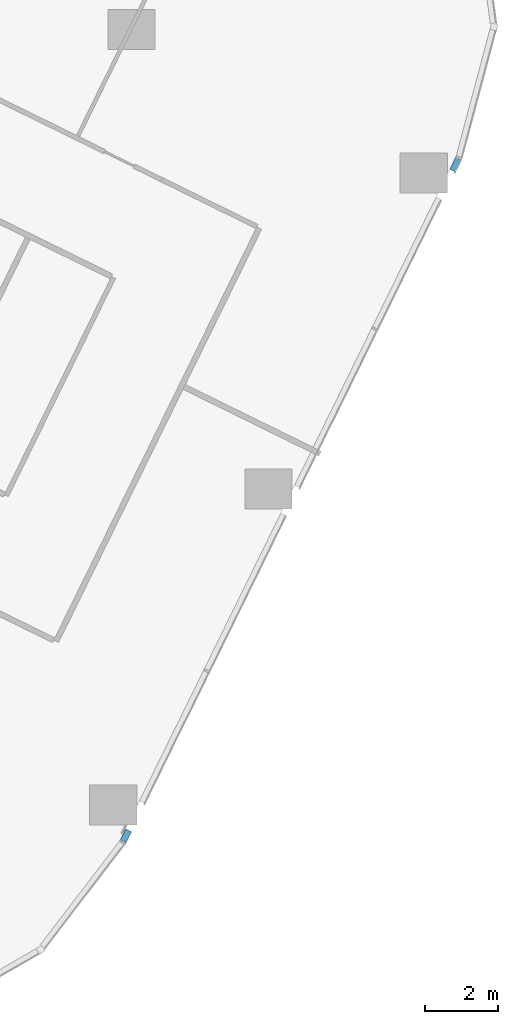
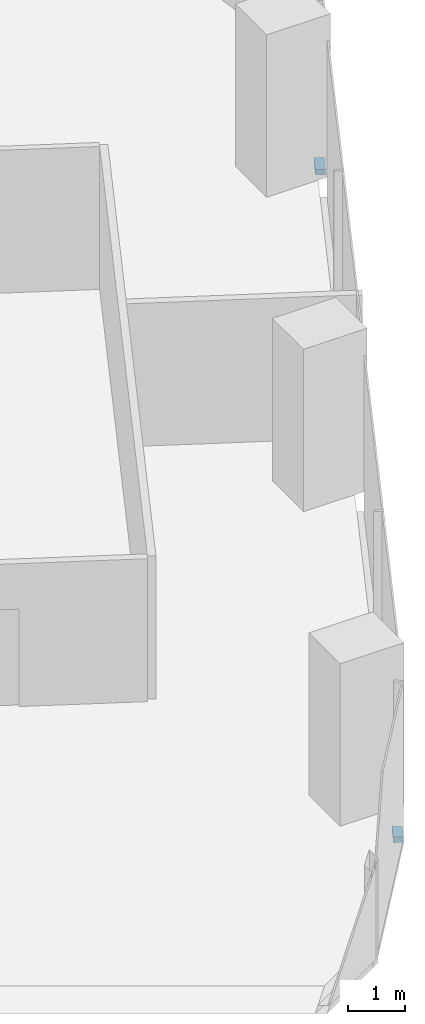
# One storey, part 17 of 38: 2 members, 1 element without a shape of its own.
"""IFC4 building model written with IfcOpenShell, lengths in metres."""

from ifc_helpers import new_model, si_unit, direction, frame, origin, origin_2d, place, context, subcontext, project, spatial, rectangle, extrude, material, material_profile, profile_set, type_object, element, aggregate, save


model = new_model("IFC4")

# Units and contexts
model_context = context("Model", 3, precision=1e-05, world=origin(), true_north=direction((0.0, 1.0)))
body_context = subcontext(model_context, "Body", "Model", "MODEL_VIEW")
ifc_project = project(units=[si_unit("LENGTHUNIT", "METRE"), si_unit("AREAUNIT", "SQUARE_METRE"), si_unit("VOLUMEUNIT", "CUBIC_METRE"), si_unit("PLANEANGLEUNIT", "RADIAN"), si_unit("MASSUNIT", "GRAM", prefix="KILO")], contexts=[model_context])

# Site, building, storey
site_placement = place(None, origin())
site = spatial("IfcSite", under=ifc_project, at=site_placement, CompositionType="ELEMENT")
building_placement = place(site_placement, origin())
building = spatial("IfcBuilding", under=site, at=building_placement, Name="Orlundy Tower", CompositionType="ELEMENT")
storey_placement = place(building_placement, frame((0.0, 0.0, 65.800048828125)))
storey = spatial("IfcBuildingStorey", under=building, at=storey_placement, Name="L15", CompositionType="ELEMENT", Elevation=65.800048828125)

# Curtain wall, members
ifc_material_1 = material(Name="Aluminium bronze anodised", Category="aluminium")
curtain_wall_type = type_object("IfcCurtainWallType", Name="CW1 wall", PredefinedType="NOTDEFINED", material=ifc_material_1)
curtain_wall_placement = place(storey_placement, origin())
curtain_wall = element("IfcCurtainWall", 1, at=curtain_wall_placement, inside=storey, type_object=curtain_wall_type, Name="CW1 run 023", PredefinedType="NOTDEFINED")
ifc_material_2 = material(Name="Aluminium bronze anodised", Category="aluminium")
ifc_material_profile = material_profile(ifc_material_2, rectangle(XDim=0.179931640625, YDim=0.1201171875, at=origin_2d()), Name="CW1 transom 180x120")
ifc_profile_set = profile_set([ifc_material_profile], Name="Aluminium bronze anodised")
member_type = type_object("IfcMemberType", Name="CW1 transom 180x120", PredefinedType="USERDEFINED", material=ifc_profile_set)
member_1_placement = place(storey_placement, frame((59.003662109375, -17.310302734375, -0.340087890625), z_axis=(-0.440922371346, -0.897545242562, 0.0), x_axis=(0.897545242562, -0.440922371346, 0.0)))
member_1 = element("IfcMember", 2, at=member_1_placement, type_object=member_type, Name="CW1 transom", ObjectType="TRANSOM", PredefinedType="USERDEFINED", context=body_context, shape_type="SweptSolid", body=[
    extrude(rectangle(XDim=0.179931640625, YDim=0.1201171875, at=origin_2d()), origin(), (0.0, 0.0, 1.0), 0.373291015625),
])
member_2_placement = place(storey_placement, frame((49.907958984375, -35.821044921875, -0.340087890625), z_axis=(-0.441498536709, -0.897261969596, 0.0), x_axis=(0.897261969596, -0.441498536709, 0.0)))
member_2 = element("IfcMember", 3, at=member_2_placement, type_object=member_type, Name="CW1 transom", ObjectType="TRANSOM", PredefinedType="USERDEFINED", context=body_context, shape_type="SweptSolid", body=[
    extrude(rectangle(XDim=0.179931640625, YDim=0.1201171875, at=origin_2d()), origin(), (0.0, 0.0, 1.0), 0.34228515625),
])
aggregate(curtain_wall, [member_1, member_2])

save(model, "model.ifc")
